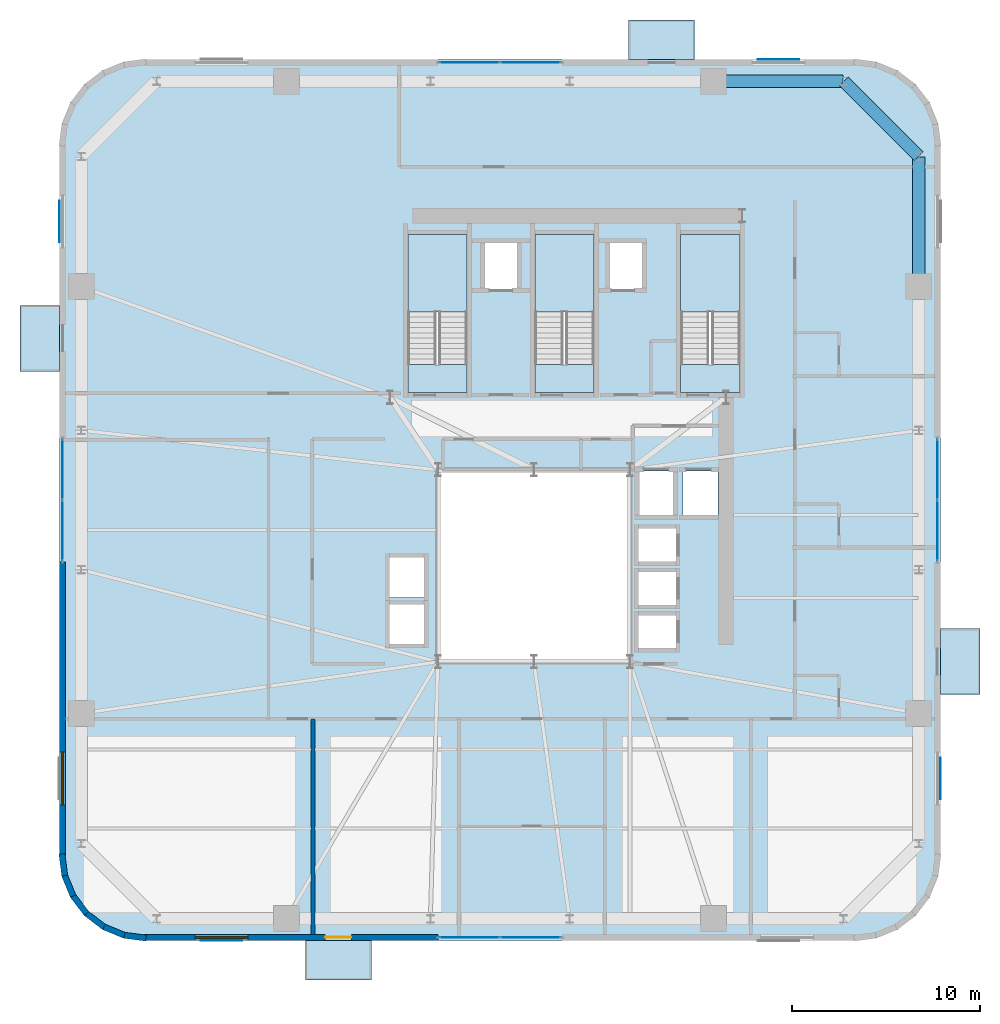
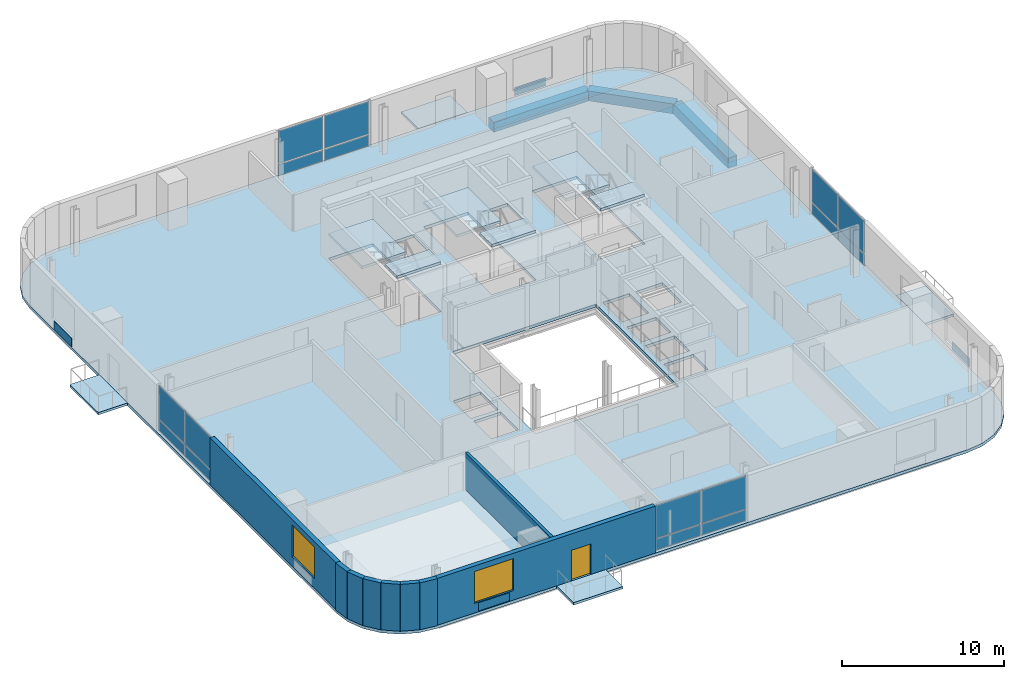
# One storey, part 7 of 16: 20 plates, 11 slabs, 9 walls, 3 beams, 2 windows, 1 door, 3 openings, 7 elements without a shape of their own.
"""IFC4 building model written with IfcOpenShell, lengths in metres."""

from ifc_helpers import new_model, si_unit, direction, frame, frame_2d, origin, origin_2d, place, context, subcontext, project, spatial, polyline, rectangle, outline, extrude, source, transform, mapped, material, layer, layer_set, material_profile, profile_set, type_object, element, fill, aggregate, save


model = new_model("IFC4")

# Units and contexts
model_context = context("Model", 3, precision=1e-05, world=origin(), true_north=direction((0.0, 1.0)))
body_context = subcontext(model_context, "Body", "Model", "MODEL_VIEW")
ifc_project = project(units=[si_unit("LENGTHUNIT", "METRE"), si_unit("AREAUNIT", "SQUARE_METRE"), si_unit("VOLUMEUNIT", "CUBIC_METRE"), si_unit("PLANEANGLEUNIT", "RADIAN"), si_unit("MASSUNIT", "GRAM", prefix="KILO")], contexts=[model_context])

# Site, building, storey
site_placement = place(None, origin())
site = spatial("IfcSite", under=ifc_project, at=site_placement, CompositionType="ELEMENT")
building_placement = place(site_placement, origin())
building = spatial("IfcBuilding", under=site, at=building_placement, Name="Vardaveli Station Tower", CompositionType="ELEMENT")
storey_placement = place(building_placement, frame((0.0, 0.0, 188.550048828125)))
storey = spatial("IfcBuildingStorey", under=building, at=storey_placement, Name="L48", CompositionType="ELEMENT", Elevation=188.550048828125)

# Beams
ifc_material_1 = material(Name="Precast concrete C45/55", Category="concrete")
ifc_material_profile = material_profile(ifc_material_1, rectangle(XDim=0.64990234375, YDim=0.75, at=origin_2d()), Name="LPB 650x750")
ifc_profile_set = profile_set([ifc_material_profile], Name="Precast concrete C45/55")
beam_type = type_object("IfcBeamType", Name="BM-LPB-750", PredefinedType="BEAM", material=ifc_profile_set)
shared_shape_1 = source(origin(), body_context, "Body", "SweptSolid", [
    extrude(rectangle(XDim=0.64990234375, YDim=0.75, at=origin_2d()), origin(), (0.0, 0.0, 1.0), 6.869873046875),
])
for number, where, z_axis, x_axis, name in (
    (1, (56.75, 36.56005859375, -0.594970703125), (0.0, 1.0, 0.0), (-1.0, 0.0, 0.0), "RBM-L48-10"),
    (2, (52.72998046875, 47.449951171875, -0.594970703125), (-1.0, 0.0, 0.0), (0.0, -1.0, 0.0), "RBM-L48-12"),
):
    element("IfcBeam", number, at=place(storey_placement, frame(where, z_axis=z_axis, x_axis=x_axis)), inside=storey, type_object=beam_type, Name=name, PredefinedType="BEAM", context=body_context, shape_type="MappedRepresentation", body=[
        mapped(shared_shape_1, transform((0.0, 0.0, 0.0), scale=1.0)),
    ])
shared_shape_2 = source(origin(), body_context, "Body", "SweptSolid", [
    extrude(rectangle(XDim=0.64990234375, YDim=0.75, at=origin_2d()), origin(), (0.0, 0.0, 1.0), 5.61669921875),
])
beam_placement = place(storey_placement, frame((56.73583984375, 43.464111328125, -0.594970703125), z_axis=(-0.707106781187, 0.707106781187, 0.0), x_axis=(-0.707106781187, -0.707106781187, 0.0)))
element("IfcBeam", 3, at=beam_placement, inside=storey, type_object=beam_type, Name="RBM-L48-11", PredefinedType="BEAM", context=body_context, shape_type="MappedRepresentation", body=[
    mapped(shared_shape_2, transform((0.0, 0.0, 0.0), scale=1.0)),
])

# Stair, slabs
ifc_material_2 = material(Name="Concrete C40/50", Category="concrete")
stair_type = type_object("IfcStairType", Name="STR-CORE-1500", PredefinedType="HALF_TURN_STAIR", material=ifc_material_2)
stair_1_placement = place(storey_placement, origin())
stair_1 = element("IfcStair", 4, at=stair_1_placement, inside=storey, type_object=stair_type, Name="L48 ST-1", PredefinedType="HALF_TURN_STAIR")
ifc_layer_1 = layer(ifc_material_2, 0.199951171875, Name="Concrete C40/50")
ifc_layer_set_1 = layer_set([ifc_layer_1], Name="Concrete C40/50")
slab_type_1 = type_object("IfcSlabType", Name="SLB-LAND-200", PredefinedType="LANDING", material=ifc_layer_set_1)
slab_1_placement = place(storey_placement, frame((0.0, 0.0, 1.675048828125)))
slab_1 = element("IfcSlab", 5, at=slab_1_placement, type_object=slab_type_1, Name="ST-1 landing 1", PredefinedType="LANDING", context=body_context, shape_type="SweptSolid", body=[
    extrude(outline(polyline([(32.75, 35.199951171875), (32.75, 39.300048828125), (29.60009765625, 39.300048828125), (29.60009765625, 35.199951171875), (32.75, 35.199951171875)])), origin(), (0.0, 0.0, 1.0), 0.199951171875),
])
slab_2_placement = place(storey_placement, frame((0.0, 0.0, 3.550048828125)))
slab_2 = element("IfcSlab", 6, at=slab_2_placement, type_object=slab_type_1, Name="ST-1 landing 2", PredefinedType="LANDING", context=body_context, shape_type="SweptSolid", body=[
    extrude(outline(polyline([(32.75, 30.89990234375), (32.75, 32.39990234375), (29.60009765625, 32.39990234375), (29.60009765625, 30.89990234375), (32.75, 30.89990234375)])), origin(), (0.0, 0.0, 1.0), 0.199951171875),
])
aggregate(stair_1, [slab_1, slab_2])

stair_2_placement = place(storey_placement, origin())
stair_2 = element("IfcStair", 7, at=stair_2_placement, inside=storey, type_object=stair_type, Name="L48 ST-2", PredefinedType="HALF_TURN_STAIR")
slab_3_placement = place(storey_placement, frame((0.0, 0.0, 1.675048828125)))
slab_3 = element("IfcSlab", 8, at=slab_3_placement, type_object=slab_type_1, Name="ST-2 landing 1", PredefinedType="LANDING", context=body_context, shape_type="SweptSolid", body=[
    extrude(outline(polyline([(39.5, 35.199951171875), (39.5, 39.300048828125), (36.35009765625, 39.300048828125), (36.35009765625, 35.199951171875), (39.5, 35.199951171875)])), origin(), (0.0, 0.0, 1.0), 0.199951171875),
])
slab_4_placement = place(storey_placement, frame((0.0, 0.0, 3.550048828125)))
slab_4 = element("IfcSlab", 9, at=slab_4_placement, type_object=slab_type_1, Name="ST-2 landing 2", PredefinedType="LANDING", context=body_context, shape_type="SweptSolid", body=[
    extrude(outline(polyline([(39.5, 30.89990234375), (39.5, 32.39990234375), (36.35009765625, 32.39990234375), (36.35009765625, 30.89990234375), (39.5, 30.89990234375)])), origin(), (0.0, 0.0, 1.0), 0.199951171875),
])
aggregate(stair_2, [slab_3, slab_4])

stair_3_placement = place(storey_placement, origin())
stair_3 = element("IfcStair", 10, at=stair_3_placement, inside=storey, type_object=stair_type, Name="L48 ST-3", PredefinedType="HALF_TURN_STAIR")
slab_5_placement = place(storey_placement, frame((0.0, 0.0, 1.675048828125)))
slab_5 = element("IfcSlab", 11, at=slab_5_placement, type_object=slab_type_1, Name="ST-3 landing 1", PredefinedType="LANDING", context=body_context, shape_type="SweptSolid", body=[
    extrude(outline(polyline([(47.25, 35.199951171875), (47.25, 39.300048828125), (44.10009765625, 39.300048828125), (44.10009765625, 35.199951171875), (47.25, 35.199951171875)])), origin(), (0.0, 0.0, 1.0), 0.199951171875),
])
slab_6_placement = place(storey_placement, frame((0.0, 0.0, 3.550048828125)))
slab_6 = element("IfcSlab", 12, at=slab_6_placement, type_object=slab_type_1, Name="ST-3 landing 2", PredefinedType="LANDING", context=body_context, shape_type="SweptSolid", body=[
    extrude(outline(polyline([(47.25, 30.89990234375), (47.25, 32.39990234375), (44.10009765625, 32.39990234375), (44.10009765625, 30.89990234375), (47.25, 30.89990234375)])), origin(), (0.0, 0.0, 1.0), 0.199951171875),
])
aggregate(stair_3, [slab_5, slab_6])

# Slabs
ifc_layer_2 = layer(ifc_material_1, 0.179931640625, Name="Precast concrete C45/55")
ifc_layer_set_2 = layer_set([ifc_layer_2], Name="Precast concrete C45/55")
slab_type_2 = type_object("IfcSlabType", Name="SLB-LOGGIA-180", PredefinedType="FLOOR", material=ifc_layer_set_2)
slab_7_placement = place(storey_placement, frame((0.0, 0.0, -0.179931640625)))
element("IfcSlab", 13, at=slab_7_placement, inside=storey, type_object=slab_type_2, Name="LOG-L48-S", PredefinedType="FLOOR", context=body_context, shape_type="SweptSolid", body=[
    extrude(outline(polyline([(24.160400390625, -0.300048828125), (27.660400390625, -0.300048828125), (27.660400390625, 1.800048828125), (24.160400390625, 1.800048828125), (24.160400390625, -0.300048828125)])), origin(), (0.0, 0.0, 1.0), 0.179931640625),
])
slab_8_placement = place(storey_placement, frame((0.0, 0.0, -0.179931640625)))
element("IfcSlab", 14, at=slab_8_placement, inside=storey, type_object=slab_type_2, Name="LOG-L48-N", PredefinedType="FLOOR", context=body_context, shape_type="SweptSolid", body=[
    extrude(outline(polyline([(41.339599609375, 48.60009765625), (44.839599609375, 48.60009765625), (44.839599609375, 50.699951171875), (41.339599609375, 50.699951171875), (41.339599609375, 48.60009765625)])), origin(), (0.0, 0.0, 1.0), 0.179931640625),
])
slab_9_placement = place(storey_placement, frame((0.0, 0.0, -0.179931640625)))
element("IfcSlab", 15, at=slab_9_placement, inside=storey, type_object=slab_type_2, Name="LOG-L48-W", PredefinedType="FLOOR", context=body_context, shape_type="SweptSolid", body=[
    extrude(outline(polyline([(9.0, 32.03955078125), (11.10009765625, 32.03955078125), (11.10009765625, 35.53955078125), (9.0, 35.53955078125), (9.0, 32.03955078125)])), origin(), (0.0, 0.0, 1.0), 0.179931640625),
])
slab_10_placement = place(storey_placement, frame((0.0, 0.0, -0.179931640625)))
element("IfcSlab", 16, at=slab_10_placement, inside=storey, type_object=slab_type_2, Name="LOG-L48-E", PredefinedType="FLOOR", context=body_context, shape_type="SweptSolid", body=[
    extrude(outline(polyline([(57.89990234375, 14.8603515625), (60.0, 14.8603515625), (60.0, 18.3603515625), (57.89990234375, 18.3603515625), (57.89990234375, 14.8603515625)])), origin(), (0.0, 0.0, 1.0), 0.179931640625),
])
ifc_layer_3 = layer(ifc_material_2, 0.219970703125, Name="Concrete C40/50")
ifc_layer_set_3 = layer_set([ifc_layer_3], Name="Concrete C40/50")
slab_type_3 = type_object("IfcSlabType", Name="SLB-TOW-220", PredefinedType="FLOOR", material=ifc_layer_set_3)
slab_11_placement = place(storey_placement, frame((0.0, 0.0, -0.219970703125)))
element("IfcSlab", 17, at=slab_11_placement, inside=storey, type_object=slab_type_3, Name="SLB-L48-MAIN", PredefinedType="FLOOR", context=body_context, shape_type="SweptSolid", body=[
    extrude(outline(polyline([(11.10009765625, 6.300048828125), (11.25341796875, 5.13525390625), (11.702880859375, 4.050048828125), (12.41796875, 3.117919921875), (13.35009765625, 2.40283203125), (14.435302734375, 1.953369140625), (15.60009765625, 1.800048828125), (53.39990234375, 1.800048828125), (54.564697265625, 1.953369140625), (55.64990234375, 2.40283203125), (56.58203125, 3.117919921875), (57.297119140625, 4.050048828125), (57.74658203125, 5.13525390625), (57.89990234375, 6.300048828125), (57.89990234375, 44.10009765625), (57.74658203125, 45.2646484375), (57.297119140625, 46.35009765625), (56.58203125, 47.281982421875), (55.64990234375, 47.9970703125), (54.564697265625, 48.44677734375), (53.39990234375, 48.60009765625), (15.60009765625, 48.60009765625), (14.435302734375, 48.44677734375), (13.35009765625, 47.9970703125), (12.41796875, 47.281982421875), (11.702880859375, 46.35009765625), (11.25341796875, 45.2646484375), (11.10009765625, 44.10009765625), (11.10009765625, 6.300048828125)]), holes=[polyline([(31.199951171875, 16.60009765625), (41.39990234375, 16.60009765625), (41.39990234375, 26.800048828125), (31.199951171875, 26.800048828125), (31.199951171875, 16.60009765625)]), polyline([(32.75, 30.89990234375), (32.75, 39.300048828125), (29.60009765625, 39.300048828125), (29.60009765625, 30.89990234375), (32.75, 30.89990234375)]), polyline([(39.5, 30.89990234375), (39.5, 39.300048828125), (36.35009765625, 39.300048828125), (36.35009765625, 30.89990234375), (39.5, 30.89990234375)]), polyline([(47.25, 30.89990234375), (47.25, 39.300048828125), (44.10009765625, 39.300048828125), (44.10009765625, 30.89990234375), (47.25, 30.89990234375)]), polyline([(33.659912109375, 36.409912109375), (35.43994140625, 36.409912109375), (35.43994140625, 38.889892578125), (33.659912109375, 38.889892578125), (33.659912109375, 36.409912109375)]), polyline([(40.31005859375, 36.409912109375), (42.090087890625, 36.409912109375), (42.090087890625, 38.889892578125), (40.31005859375, 38.889892578125), (40.31005859375, 36.409912109375)]), polyline([(41.81005859375, 21.885009765625), (43.889892578125, 21.885009765625), (43.889892578125, 23.715087890625), (41.81005859375, 23.715087890625), (41.81005859375, 21.885009765625)]), polyline([(41.81005859375, 19.5849609375), (43.889892578125, 19.5849609375), (43.889892578125, 21.4150390625), (41.81005859375, 21.4150390625), (41.81005859375, 19.5849609375)]), polyline([(41.81005859375, 17.284912109375), (43.889892578125, 17.284912109375), (43.889892578125, 19.114990234375), (41.81005859375, 19.114990234375), (41.81005859375, 17.284912109375)]), polyline([(28.5849609375, 17.510009765625), (30.514892578125, 17.510009765625), (30.514892578125, 19.68994140625), (28.5849609375, 19.68994140625), (28.5849609375, 17.510009765625)]), polyline([(28.5849609375, 20.010009765625), (30.514892578125, 20.010009765625), (30.514892578125, 22.18994140625), (28.5849609375, 22.18994140625), (28.5849609375, 20.010009765625)]), polyline([(41.860107421875, 24.360107421875), (43.739990234375, 24.360107421875), (43.739990234375, 26.739990234375), (41.860107421875, 26.739990234375), (41.860107421875, 24.360107421875)]), polyline([(44.2099609375, 24.360107421875), (46.090087890625, 24.360107421875), (46.090087890625, 26.739990234375), (44.2099609375, 26.739990234375), (44.2099609375, 24.360107421875)])]), origin(), (0.0, 0.0, 1.0), 0.219970703125),
])

# Plates
ifc_material_3 = material(Name="Honed Caucasian travertine stone", Category="masonry")
ifc_layer_4 = layer(ifc_material_3, 0.034912109375, Name="Honed Caucasian travertine stone")
ifc_layer_set_4 = layer_set([ifc_layer_4], Name="Honed Caucasian travertine stone")
plate_type_1 = type_object("IfcPlateType", Name="PLT-TRAV-35", PredefinedType="SHEET", material=ifc_layer_set_4)
shared_shape_3 = source(origin(), body_context, "Body", "SweptSolid", [
    extrude(rectangle(XDim=2.199951171875, YDim=0.034912109375, at=origin_2d()), origin(), (0.0, 0.0, 1.0), 0.6201171875),
])
for number, where, z_axis, x_axis, name in (
    (18, (19.705078125, 1.79052734375, 0.06982421875), (0.0, 0.0, 1.0), (1.0, 0.0, 0.0), "PLT-TR-L48-S"),
    (19, (49.294921875, 48.609619140625, 0.06982421875), (0.0, 0.0, 1.0), (1.0, 0.0, 0.0), "PLT-TR-L48-N"),
    (20, (11.090576171875, 39.9951171875, 0.06982421875), (0.0, 0.0, 1.0), (0.0, 1.0, 0.0), "PLT-TR-L48-W"),
    (21, (57.909423828125, 10.405029296875, 0.06982421875), (0.0, 0.0, 1.0), (0.0, 1.0, 0.0), "PLT-TR-L48-E"),
):
    element("IfcPlate", number, at=place(storey_placement, frame(where, z_axis=z_axis, x_axis=x_axis)), inside=storey, type_object=plate_type_1, Name=name, PredefinedType="SHEET", context=body_context, shape_type="MappedRepresentation", body=[
        mapped(shared_shape_3, transform((0.0, 0.0, 0.0), scale=1.0)),
    ])

# Curtain wall, plates
ifc_material_4 = material(Name="Travertine stone and solar-control glass", Category="masonry")
curtain_wall_type = type_object("IfcCurtainWallType", Name="CW-SYS-5", PredefinedType="NOTDEFINED", material=ifc_material_4)
curtain_wall_1_placement = place(storey_placement, origin())
curtain_wall_1 = element("IfcCurtainWall", 22, at=curtain_wall_1_placement, inside=storey, type_object=curtain_wall_type, Name="CW-L48-S", PredefinedType="NOTDEFINED")
ifc_material_5 = material(Name="Double-glazed low-E solar-control glass", Category="glass")
ifc_layer_5 = layer(ifc_material_5, 0.031982421875, Name="Double-glazed low-E solar-control glass")
ifc_layer_set_5 = layer_set([ifc_layer_5], Name="Double-glazed low-E solar-control glass")
plate_type_2 = type_object("IfcPlateType", Name="CW-SYS-5-PAN", PredefinedType="CURTAIN_PANEL", material=ifc_layer_set_5)
shared_shape_4 = source(origin(), body_context, "Body", "SweptSolid", [
    extrude(rectangle(XDim=3.179931640625, YDim=0.031982421875, at=origin_2d()), origin(), (0.0, 0.0, 1.0), 0.830078125),
])
plate_1_placement = place(storey_placement, frame((32.8701171875, 1.9599609375, 0.079833984375), z_axis=(0.0, 0.0, 1.0), x_axis=(1.0, 0.0, 0.0)))
plate_1 = element("IfcPlate", 23, at=plate_1_placement, type_object=plate_type_2, Name="CW-5 panel 1.1", PredefinedType="CURTAIN_PANEL", context=body_context, shape_type="MappedRepresentation", body=[
    mapped(shared_shape_4, transform((0.0, 0.0, 0.0), scale=1.0)),
])
plate_2_placement = place(storey_placement, frame((36.1298828125, 1.9599609375, 0.079833984375), z_axis=(0.0, 0.0, 1.0), x_axis=(1.0, 0.0, 0.0)))
plate_2 = element("IfcPlate", 24, at=plate_2_placement, type_object=plate_type_2, Name="CW-5 panel 2.1", PredefinedType="CURTAIN_PANEL", context=body_context, shape_type="MappedRepresentation", body=[
    mapped(shared_shape_4, transform((0.0, 0.0, 0.0), scale=1.0)),
])

curtain_wall_2_placement = place(storey_placement, origin())
curtain_wall_2 = element("IfcCurtainWall", 25, at=curtain_wall_2_placement, inside=storey, type_object=curtain_wall_type, Name="CW-L48-N", PredefinedType="NOTDEFINED")
plate_3_placement = place(storey_placement, frame((36.1298828125, 48.43994140625, 0.079833984375), z_axis=(0.0, 0.0, 1.0), x_axis=(-1.0, 0.0, 0.0)))
plate_3 = element("IfcPlate", 26, at=plate_3_placement, type_object=plate_type_2, Name="CW-5 panel 1.1", PredefinedType="CURTAIN_PANEL", context=body_context, shape_type="MappedRepresentation", body=[
    mapped(shared_shape_4, transform((0.0, 0.0, 0.0), scale=1.0)),
])
plate_4_placement = place(storey_placement, frame((32.8701171875, 48.43994140625, 0.079833984375), z_axis=(0.0, 0.0, 1.0), x_axis=(-1.0, 0.0, 0.0)))
plate_4 = element("IfcPlate", 27, at=plate_4_placement, type_object=plate_type_2, Name="CW-5 panel 2.1", PredefinedType="CURTAIN_PANEL", context=body_context, shape_type="MappedRepresentation", body=[
    mapped(shared_shape_4, transform((0.0, 0.0, 0.0), scale=1.0)),
])

curtain_wall_3_placement = place(storey_placement, origin())
curtain_wall_3 = element("IfcCurtainWall", 28, at=curtain_wall_3_placement, inside=storey, type_object=curtain_wall_type, Name="CW-L48-W", PredefinedType="NOTDEFINED")
plate_5_placement = place(storey_placement, frame((11.260009765625, 26.830078125, 0.079833984375), z_axis=(0.0, 0.0, 1.0), x_axis=(0.0, -1.0, 0.0)))
plate_5 = element("IfcPlate", 29, at=plate_5_placement, type_object=plate_type_2, Name="CW-5 panel 1.1", PredefinedType="CURTAIN_PANEL", context=body_context, shape_type="MappedRepresentation", body=[
    mapped(shared_shape_4, transform((0.0, 0.0, 0.0), scale=1.0)),
])
plate_6_placement = place(storey_placement, frame((11.260009765625, 23.570068359375, 0.079833984375), z_axis=(0.0, 0.0, 1.0), x_axis=(0.0, -1.0, 0.0)))
plate_6 = element("IfcPlate", 30, at=plate_6_placement, type_object=plate_type_2, Name="CW-5 panel 2.1", PredefinedType="CURTAIN_PANEL", context=body_context, shape_type="MappedRepresentation", body=[
    mapped(shared_shape_4, transform((0.0, 0.0, 0.0), scale=1.0)),
])

curtain_wall_4_placement = place(storey_placement, origin())
curtain_wall_4 = element("IfcCurtainWall", 31, at=curtain_wall_4_placement, inside=storey, type_object=curtain_wall_type, Name="CW-L48-E", PredefinedType="NOTDEFINED")
plate_7_placement = place(storey_placement, frame((57.739990234375, 23.570068359375, 0.079833984375), z_axis=(0.0, 0.0, 1.0), x_axis=(0.0, 1.0, 0.0)))
plate_7 = element("IfcPlate", 32, at=plate_7_placement, type_object=plate_type_2, Name="CW-5 panel 1.1", PredefinedType="CURTAIN_PANEL", context=body_context, shape_type="MappedRepresentation", body=[
    mapped(shared_shape_4, transform((0.0, 0.0, 0.0), scale=1.0)),
])
plate_8_placement = place(storey_placement, frame((57.739990234375, 26.830078125, 0.079833984375), z_axis=(0.0, 0.0, 1.0), x_axis=(0.0, 1.0, 0.0)))
plate_8 = element("IfcPlate", 33, at=plate_8_placement, type_object=plate_type_2, Name="CW-5 panel 2.1", PredefinedType="CURTAIN_PANEL", context=body_context, shape_type="MappedRepresentation", body=[
    mapped(shared_shape_4, transform((0.0, 0.0, 0.0), scale=1.0)),
])

# Plate
shared_shape_5 = source(origin(), body_context, "Body", "SweptSolid", [
    extrude(rectangle(XDim=3.179931640625, YDim=0.031982421875, at=origin_2d()), origin(), (0.0, 0.0, 1.0), 2.4599609375),
])
plate_9_placement = place(storey_placement, frame((32.8701171875, 1.9599609375, 0.989990234375), z_axis=(0.0, 0.0, 1.0), x_axis=(1.0, 0.0, 0.0)))
plate_9 = element("IfcPlate", 34, at=plate_9_placement, type_object=plate_type_2, Name="CW-5 panel 1.2", PredefinedType="CURTAIN_PANEL", context=body_context, shape_type="MappedRepresentation", body=[
    mapped(shared_shape_5, transform((0.0, 0.0, 0.0), scale=1.0)),
])

plate_10_placement = place(storey_placement, frame((36.1298828125, 1.9599609375, 0.989990234375), z_axis=(0.0, 0.0, 1.0), x_axis=(1.0, 0.0, 0.0)))
plate_10 = element("IfcPlate", 35, at=plate_10_placement, type_object=plate_type_2, Name="CW-5 panel 2.2", PredefinedType="CURTAIN_PANEL", context=body_context, shape_type="MappedRepresentation", body=[
    mapped(shared_shape_5, transform((0.0, 0.0, 0.0), scale=1.0)),
])

aggregate(curtain_wall_1, [plate_1, plate_9, plate_2, plate_10])

plate_11_placement = place(storey_placement, frame((36.1298828125, 48.43994140625, 0.989990234375), z_axis=(0.0, 0.0, 1.0), x_axis=(-1.0, 0.0, 0.0)))
plate_11 = element("IfcPlate", 36, at=plate_11_placement, type_object=plate_type_2, Name="CW-5 panel 1.2", PredefinedType="CURTAIN_PANEL", context=body_context, shape_type="MappedRepresentation", body=[
    mapped(shared_shape_5, transform((0.0, 0.0, 0.0), scale=1.0)),
])

plate_12_placement = place(storey_placement, frame((32.8701171875, 48.43994140625, 0.989990234375), z_axis=(0.0, 0.0, 1.0), x_axis=(-1.0, 0.0, 0.0)))
plate_12 = element("IfcPlate", 37, at=plate_12_placement, type_object=plate_type_2, Name="CW-5 panel 2.2", PredefinedType="CURTAIN_PANEL", context=body_context, shape_type="MappedRepresentation", body=[
    mapped(shared_shape_5, transform((0.0, 0.0, 0.0), scale=1.0)),
])

aggregate(curtain_wall_2, [plate_3, plate_11, plate_4, plate_12])

plate_13_placement = place(storey_placement, frame((11.260009765625, 26.830078125, 0.989990234375), z_axis=(0.0, 0.0, 1.0), x_axis=(0.0, -1.0, 0.0)))
plate_13 = element("IfcPlate", 38, at=plate_13_placement, type_object=plate_type_2, Name="CW-5 panel 1.2", PredefinedType="CURTAIN_PANEL", context=body_context, shape_type="MappedRepresentation", body=[
    mapped(shared_shape_5, transform((0.0, 0.0, 0.0), scale=1.0)),
])

plate_14_placement = place(storey_placement, frame((11.260009765625, 23.570068359375, 0.989990234375), z_axis=(0.0, 0.0, 1.0), x_axis=(0.0, -1.0, 0.0)))
plate_14 = element("IfcPlate", 39, at=plate_14_placement, type_object=plate_type_2, Name="CW-5 panel 2.2", PredefinedType="CURTAIN_PANEL", context=body_context, shape_type="MappedRepresentation", body=[
    mapped(shared_shape_5, transform((0.0, 0.0, 0.0), scale=1.0)),
])

aggregate(curtain_wall_3, [plate_5, plate_13, plate_6, plate_14])

plate_15_placement = place(storey_placement, frame((57.739990234375, 23.570068359375, 0.989990234375), z_axis=(0.0, 0.0, 1.0), x_axis=(0.0, 1.0, 0.0)))
plate_15 = element("IfcPlate", 40, at=plate_15_placement, type_object=plate_type_2, Name="CW-5 panel 1.2", PredefinedType="CURTAIN_PANEL", context=body_context, shape_type="MappedRepresentation", body=[
    mapped(shared_shape_5, transform((0.0, 0.0, 0.0), scale=1.0)),
])

plate_16_placement = place(storey_placement, frame((57.739990234375, 26.830078125, 0.989990234375), z_axis=(0.0, 0.0, 1.0), x_axis=(0.0, 1.0, 0.0)))
plate_16 = element("IfcPlate", 41, at=plate_16_placement, type_object=plate_type_2, Name="CW-5 panel 2.2", PredefinedType="CURTAIN_PANEL", context=body_context, shape_type="MappedRepresentation", body=[
    mapped(shared_shape_5, transform((0.0, 0.0, 0.0), scale=1.0)),
])

aggregate(curtain_wall_4, [plate_7, plate_15, plate_8, plate_16])

# Wall, openings, door, window
ifc_layer_6 = layer(ifc_material_1, 0.320068359375, Name="Precast concrete C45/55")
ifc_layer_set_6 = layer_set([ifc_layer_6], Name="Precast concrete C45/55")
wall_type_1 = type_object("IfcWallType", Name="WAL-EXT-STONE-320", PredefinedType="SOLIDWALL", material=ifc_layer_set_6)
shared_shape_6 = source(origin(), body_context, "Body", "SweptSolid", [
    extrude(rectangle(XDim=15.599853515625, YDim=0.320068359375, at=frame_2d((7.7998046875, 0.0))), origin(), (0.0, 0.0, 1.0), 3.530029296875),
])
wall_1_placement = place(storey_placement, frame((15.60009765625, 1.9599609375, 0.0), z_axis=(0.0, 0.0, 1.0), x_axis=(1.0, 0.0, 0.0)))
wall_1 = element("IfcWall", 42, at=wall_1_placement, inside=storey, type_object=wall_type_1, Name="EW-L48-S1", PredefinedType="SOLIDWALL", context=body_context, shape_type="MappedRepresentation", body=[
    mapped(shared_shape_6, transform((0.0, 0.0, 0.0), scale=1.0)),
])
shared_shape_7 = source(origin(), body_context, "Body", "SweptSolid", [
    extrude(rectangle(XDim=1.39990234375, YDim=2.300048828125, at=frame_2d((0.699951171875, 1.14990234375))), frame((0.0, 0.169921875, 0.0), z_axis=(0.0, -1.0, 0.0), x_axis=(1.0, 0.0, 0.0)), (0.0, 0.0, 1.0), 0.340087890625),
])
opening_1_placement = place(wall_1_placement, frame((9.6103515625, 0.0, 0.0)))
opening_1 = element("IfcOpeningElement", 43, at=opening_1_placement, cuts=wall_1, Name="Opening D-09", PredefinedType="OPENING", context=body_context, shape_type="MappedRepresentation", body=[
    mapped(shared_shape_7, transform((0.0, 0.0, 0.0), scale=1.0)),
])
shared_shape_8 = source(origin(), body_context, "Body", "SweptSolid", [
    extrude(rectangle(XDim=2.800048828125, YDim=2.39990234375, at=frame_2d((1.39990234375, 1.199951171875))), frame((0.0, 0.169921875, 0.0), z_axis=(0.0, -1.0, 0.0), x_axis=(1.0, 0.0, 0.0)), (0.0, 0.0, 1.0), 0.340087890625),
])
opening_2_placement = place(wall_1_placement, frame((2.705078125, 0.0, 0.719970703125)))
opening_2 = element("IfcOpeningElement", 44, at=opening_2_placement, cuts=wall_1, Name="Opening W-04", PredefinedType="OPENING", context=body_context, shape_type="MappedRepresentation", body=[
    mapped(shared_shape_8, transform((0.0, 0.0, 0.0), scale=1.0)),
])
ifc_material_6 = material(Name="Thermally broken aluminium glass", Category="aluminium")
door_type = type_object("IfcDoorType", Name="DR-LOG-1400x2300", OperationType="DOUBLE_DOOR_SLIDING", PredefinedType="DOOR", material=ifc_material_6)
shared_shape_9 = source(origin(), body_context, "Body", "SweptSolid", [
    extrude(rectangle(XDim=1.39990234375, YDim=2.300048828125, at=frame_2d((0.699951171875, 1.14990234375))), frame((0.0, 0.02490234375, 0.0), z_axis=(0.0, -1.0, 0.0), x_axis=(1.0, 0.0, 0.0)), (0.0, 0.0, 1.0), 0.050048828125),
])
door_placement = place(opening_1_placement, frame((1.39990234375, 0.0, 0.0), z_axis=(0.0, 0.0, 1.0), x_axis=(-1.0, 0.0, 0.0)))
door = element("IfcDoor", 45, at=door_placement, inside=storey, type_object=door_type, Name="DLG-L48-S", OperationType="DOUBLE_DOOR_SLIDING", OverallHeight=2.300048828125, OverallWidth=1.39990234375, PredefinedType="DOOR", context=body_context, shape_type="MappedRepresentation", body=[
    mapped(shared_shape_9, transform((0.0, 0.0, 0.0), scale=1.0)),
])
fill(opening_1, door)
ifc_material_7 = material(Name="Low-E solar-control glass", Category="glass")
window_type = type_object("IfcWindowType", Name="WIN-SUITE-2800x2400", PartitioningType="SINGLE_PANEL", PredefinedType="WINDOW", material=ifc_material_7)
shared_shape_10 = source(origin(), body_context, "Body", "SweptSolid", [
    extrude(rectangle(XDim=2.800048828125, YDim=2.39990234375, at=frame_2d((1.39990234375, 1.199951171875))), frame((0.0, 0.030029296875, 0.0), z_axis=(0.0, -1.0, 0.0), x_axis=(1.0, 0.0, 0.0)), (0.0, 0.0, 1.0), 0.06005859375),
])
window_1_placement = place(opening_2_placement, origin())
window_1 = element("IfcWindow", 46, at=window_1_placement, inside=storey, type_object=window_type, Name="WN-L48-S1", OverallHeight=2.39990234375, OverallWidth=2.800048828125, PartitioningType="SINGLE_PANEL", PredefinedType="WINDOW", context=body_context, shape_type="MappedRepresentation", body=[
    mapped(shared_shape_10, transform((0.0, 0.0, 0.0), scale=1.0)),
])
fill(opening_2, window_1)

# Wall, opening, window
wall_2_placement = place(storey_placement, frame((11.260009765625, 21.89990234375, 0.0), z_axis=(0.0, 0.0, 1.0), x_axis=(0.0, -1.0, 0.0)))
wall_2 = element("IfcWall", 47, at=wall_2_placement, inside=storey, type_object=wall_type_1, Name="EW-L48-W2", PredefinedType="SOLIDWALL", context=body_context, shape_type="MappedRepresentation", body=[
    mapped(shared_shape_6, transform((0.0, 0.0, 0.0), scale=1.0)),
])
opening_3_placement = place(wall_2_placement, frame((10.094970703125, 0.0, 0.719970703125)))
opening_3 = element("IfcOpeningElement", 48, at=opening_3_placement, cuts=wall_2, Name="Opening W-04", PredefinedType="OPENING", context=body_context, shape_type="MappedRepresentation", body=[
    mapped(shared_shape_8, transform((0.0, 0.0, 0.0), scale=1.0)),
])
window_2_placement = place(opening_3_placement, origin())
window_2 = element("IfcWindow", 49, at=window_2_placement, inside=storey, type_object=window_type, Name="WN-L48-W2", OverallHeight=2.39990234375, OverallWidth=2.800048828125, PartitioningType="SINGLE_PANEL", PredefinedType="WINDOW", context=body_context, shape_type="MappedRepresentation", body=[
    mapped(shared_shape_10, transform((0.0, 0.0, 0.0), scale=1.0)),
])
fill(opening_3, window_2)

# Walls
shared_shape_11 = source(origin(), body_context, "Body", "SweptSolid", [
    extrude(rectangle(XDim=1.170654296875, YDim=0.320068359375, at=frame_2d((0.58544921875, 0.0))), origin(), (0.0, 0.0, 1.0), 3.530029296875),
])
wall_3_placement = place(storey_placement, frame((11.224365234375, 6.400634765625, 0.0), z_axis=(0.0, 0.0, 1.0), x_axis=(0.128269133229, -0.991739395941, 0.0)))
element("IfcWall", 50, at=wall_3_placement, inside=storey, type_object=wall_type_1, Name="EW-L48-CR1-1", PredefinedType="SOLIDWALL", context=body_context, shape_type="MappedRepresentation", body=[
    mapped(shared_shape_11, transform((0.0, 0.0, 0.0), scale=1.0)),
])
shared_shape_12 = source(origin(), body_context, "Body", "SweptSolid", [
    extrude(rectangle(XDim=1.1689453125, YDim=0.320068359375, at=frame_2d((0.58447265625, 0.0))), origin(), (0.0, 0.0, 1.0), 3.530029296875),
])
for number, where, z_axis, x_axis, name in (
    (51, (11.37451171875, 5.23974609375, 0.0), (0.0, 0.0, 1.0), (0.381127904695, -0.924522320046, 0.0), "EW-L48-CR1-2"),
    (52, (11.820068359375, 4.158935546875, 0.0), (0.0, 0.0, 1.0), (0.608387696831, -0.793639975269, 0.0), "EW-L48-CR1-3"),
):
    element("IfcWall", number, at=place(storey_placement, frame(where, z_axis=z_axis, x_axis=x_axis)), inside=storey, type_object=wall_type_1, Name=name, PredefinedType="SOLIDWALL", context=body_context, shape_type="MappedRepresentation", body=[
        mapped(shared_shape_12, transform((0.0, 0.0, 0.0), scale=1.0)),
    ])
shared_shape_13 = source(origin(), body_context, "Body", "SweptSolid", [
    extrude(rectangle(XDim=1.168701171875, YDim=0.320068359375, at=frame_2d((0.58447265625, 0.0))), origin(), (0.0, 0.0, 1.0), 3.530029296875),
])
wall_4_placement = place(storey_placement, frame((12.53125, 3.231201171875, 0.0), z_axis=(0.0, 0.0, 1.0), x_axis=(0.793663520347, -0.608356981114, 0.0)))
element("IfcWall", 53, at=wall_4_placement, inside=storey, type_object=wall_type_1, Name="EW-L48-CR1-4", PredefinedType="SOLIDWALL", context=body_context, shape_type="MappedRepresentation", body=[
    mapped(shared_shape_13, transform((0.0, 0.0, 0.0), scale=1.0)),
])
shared_shape_14 = source(origin(), body_context, "Body", "SweptSolid", [
    extrude(rectangle(XDim=1.16943359375, YDim=0.320068359375, at=frame_2d((0.584716796875, 0.0))), origin(), (0.0, 0.0, 1.0), 3.530029296875),
])
wall_5_placement = place(storey_placement, frame((13.458740234375, 2.520263671875, 0.0), z_axis=(0.0, 0.0, 1.0), x_axis=(0.924479075121, -0.381232789334, 0.0)))
element("IfcWall", 54, at=wall_5_placement, inside=storey, type_object=wall_type_1, Name="EW-L48-CR1-5", PredefinedType="SOLIDWALL", context=body_context, shape_type="MappedRepresentation", body=[
    mapped(shared_shape_14, transform((0.0, 0.0, 0.0), scale=1.0)),
])
shared_shape_15 = source(origin(), body_context, "Body", "SweptSolid", [
    extrude(rectangle(XDim=1.170166015625, YDim=0.320068359375, at=frame_2d((0.5849609375, 0.0))), origin(), (0.0, 0.0, 1.0), 3.530029296875),
])
wall_6_placement = place(storey_placement, frame((14.539794921875, 2.074462890625, 0.0), z_axis=(0.0, 0.0, 1.0), x_axis=(0.991762485493, -0.128090485085, 0.0)))
element("IfcWall", 55, at=wall_6_placement, inside=storey, type_object=wall_type_1, Name="EW-L48-CR1-6", PredefinedType="SOLIDWALL", context=body_context, shape_type="MappedRepresentation", body=[
    mapped(shared_shape_15, transform((0.0, 0.0, 0.0), scale=1.0)),
])
ifc_material_8 = material(Name="Acoustic twin-stud gypsum partition")
ifc_layer_7 = layer(ifc_material_8, 0.199951171875, Name="Acoustic twin-stud gypsum partition")
ifc_layer_set_7 = layer_set([ifc_layer_7], Name="Acoustic twin-stud gypsum partition")
wall_type_2 = type_object("IfcWallType", Name="WAL-PARTY-200", PredefinedType="PARTITIONING", material=ifc_layer_set_7)
shared_shape_16 = source(origin(), body_context, "Body", "SweptSolid", [
    extrude(rectangle(XDim=11.447998046875, YDim=0.199951171875, at=frame_2d((5.72412109375, 0.0))), origin(), (0.0, 0.0, 1.0), 2.77197265625),
])
wall_7_placement = place(storey_placement, frame((24.570068359375, 2.1220703125, 0.0), z_axis=(0.0, 0.0, 1.0), x_axis=(0.0, 1.0, 0.0)))
element("IfcWall", 56, at=wall_7_placement, inside=storey, type_object=wall_type_2, Name="W-L48-PS1", PredefinedType="PARTITIONING", context=body_context, shape_type="MappedRepresentation", body=[
    mapped(shared_shape_16, transform((0.0, 0.0, 0.0), scale=1.0)),
])

save(model, "model.ifc")
